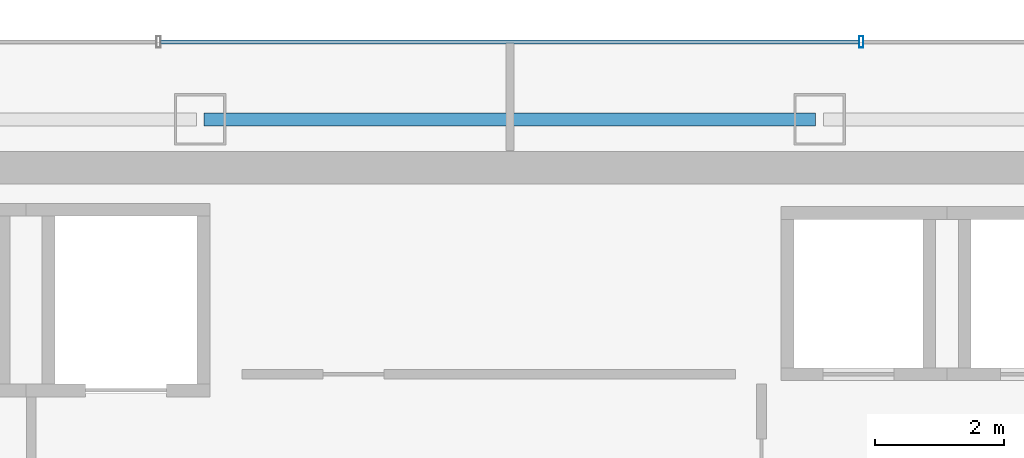
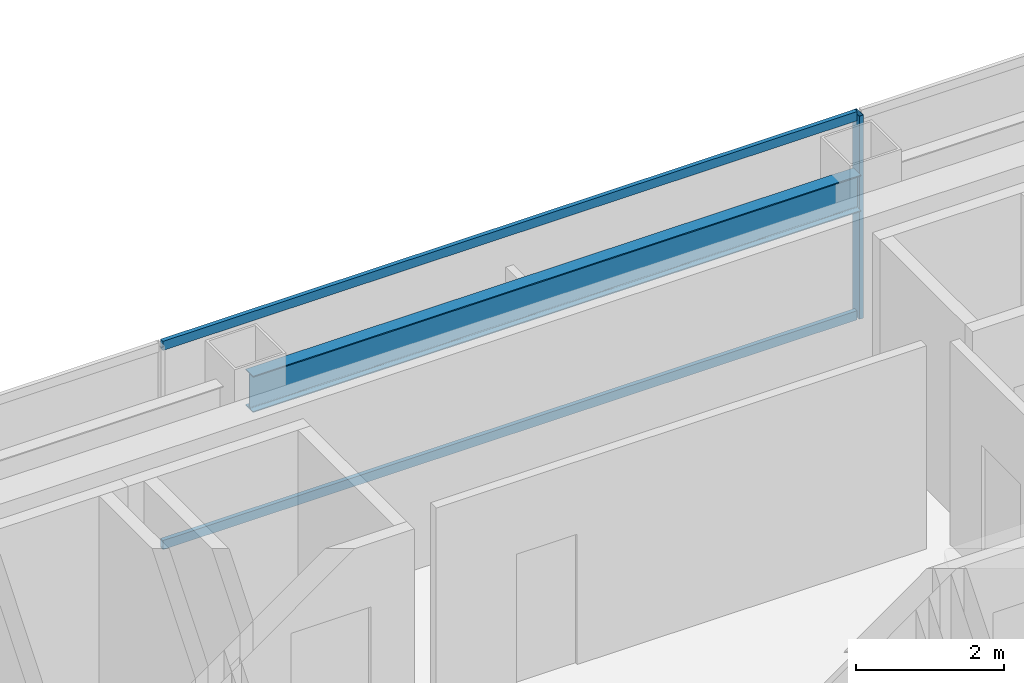
# One storey, part 23 of 34: 3 members, 1 beam, 1 element without a shape of its own.
"""IFC4 building model written with IfcOpenShell, lengths in metres."""

from ifc_helpers import new_model, si_unit, direction, frame, origin, origin_2d, place, context, subcontext, project, spatial, hollow_rectangle, i_section, extrude, material, material_profile, profile_set, type_object, element, aggregate, save


model = new_model("IFC4")

# Units and contexts
model_context = context("Model", 3, precision=1e-05, world=origin(), true_north=direction((0.0, 1.0)))
body_context = subcontext(model_context, "Body", "Model", "MODEL_VIEW")
ifc_project = project(units=[si_unit("LENGTHUNIT", "METRE"), si_unit("AREAUNIT", "SQUARE_METRE"), si_unit("VOLUMEUNIT", "CUBIC_METRE"), si_unit("PLANEANGLEUNIT", "RADIAN"), si_unit("MASSUNIT", "GRAM", prefix="KILO")], contexts=[model_context])

# Site, building, storey
site_placement = place(None, origin())
site = spatial("IfcSite", under=ifc_project, at=site_placement, CompositionType="ELEMENT")
building_placement = place(site_placement, origin())
building = spatial("IfcBuilding", under=site, at=building_placement, Name="Saevonmaru Cultural Tower", CompositionType="ELEMENT")
storey_placement = place(building_placement, frame((0.0, 0.0, 220.800048828125)))
storey = spatial("IfcBuildingStorey", under=building, at=storey_placement, Name="L51", CompositionType="ELEMENT", Elevation=220.800048828125)

# Beam
ifc_material_1 = material(Name="Steel SM355", Category="steel")
ifc_material_profile_1 = material_profile(ifc_material_1, i_section(OverallWidth=0.199951171875, OverallDepth=0.60009765625, WebThickness=0.010986328125, FlangeThickness=0.01708984375, FilletRadius=0.02197265625, at=origin_2d()), Name="H-600x200x11x17")
ifc_profile_set_1 = profile_set([ifc_material_profile_1], Name="Steel SM355")
beam_type = type_object("IfcBeamType", Name="BM-SP-H600", PredefinedType="SPANDREL", material=ifc_profile_set_1)
beam_placement = place(storey_placement, frame((25.260009765625, 54.800048828125, 3.050048828125), z_axis=(1.0, 0.0, 0.0), x_axis=(0.0, 1.0, 0.0)))
element("IfcBeam", 1, at=beam_placement, inside=storey, type_object=beam_type, Name="L51 North Spine Girder 3", PredefinedType="SPANDREL", context=body_context, shape_type="SweptSolid", body=[
    extrude(i_section(OverallWidth=0.199951171875, OverallDepth=0.60009765625, WebThickness=0.010986328125, FlangeThickness=0.01708984375, FilletRadius=0.02197265625, at=origin_2d()), origin(), (0.0, 0.0, 1.0), 9.47998046875),
])

# Curtain wall, members
ifc_material_2 = material(Name="Satin Bronze Anodised Aluminium", Category="aluminium")
curtain_wall_type = type_object("IfcCurtainWallType", Name="CW-TYP-B", PredefinedType="NOTDEFINED", material=ifc_material_2)
curtain_wall_placement = place(storey_placement, origin())
curtain_wall = element("IfcCurtainWall", 2, at=curtain_wall_placement, inside=storey, type_object=curtain_wall_type, Name="L51 North Spine Unitised Curtain Wall E10B", PredefinedType="NOTDEFINED")
ifc_material_profile_2 = material_profile(ifc_material_2, hollow_rectangle(XDim=0.06494140625, YDim=0.179931640625, WallThickness=0.00390625, at=origin_2d()), Name="ALU-MULL-180x65x4")
ifc_profile_set_2 = profile_set([ifc_material_profile_2], Name="Satin Bronze Anodised Aluminium")
member_type_1 = type_object("IfcMemberType", Name="ML-CW-180x65", PredefinedType="MULLION", material=ifc_profile_set_2)
member_1_placement = place(storey_placement, frame((35.44677734375, 56.0, 0.0), z_axis=(0.0, 0.0, 1.0), x_axis=(-1.0, 0.0, 0.0)))
member_1 = element("IfcMember", 3, at=member_1_placement, type_object=member_type_1, Name="CW-TW-L51-E10B mullion 2", PredefinedType="MULLION", context=body_context, shape_type="SweptSolid", body=[
    extrude(hollow_rectangle(XDim=0.06494140625, YDim=0.179931640625, WallThickness=0.00390625, at=origin_2d()), origin(), (0.0, 0.0, 1.0), 3.349853515625),
])
ifc_material_profile_3 = material_profile(ifc_material_2, hollow_rectangle(XDim=0.06494140625, YDim=0.14990234375, WallThickness=0.00390625, at=origin_2d()), Name="ALU-TRAN-150x65x4")
ifc_profile_set_3 = profile_set([ifc_material_profile_3], Name="Satin Bronze Anodised Aluminium")
member_type_2 = type_object("IfcMemberType", Name="TR-CW-150x65", PredefinedType="USERDEFINED", material=ifc_profile_set_3)
member_2_placement = place(storey_placement, frame((35.4140625, 56.0, 0.032470703125), z_axis=(-1.0, 0.0, 0.0), x_axis=(0.0, -1.0, 0.0)))
member_2 = element("IfcMember", 4, at=member_2_placement, type_object=member_type_2, Name="CW-TW-L51-E10B transom 2.1", ObjectType="TRANSOM", PredefinedType="USERDEFINED", context=body_context, shape_type="SweptSolid", body=[
    extrude(hollow_rectangle(XDim=0.06494140625, YDim=0.14990234375, WallThickness=0.00390625, at=origin_2d()), origin(), (0.0, 0.0, 1.0), 10.828125),
])
member_3_placement = place(storey_placement, frame((35.4140625, 56.0, 3.3173828125), z_axis=(-1.0, 0.0, 0.0), x_axis=(0.0, -1.0, 0.0)))
member_3 = element("IfcMember", 5, at=member_3_placement, type_object=member_type_2, Name="CW-TW-L51-E10B transom 2.2", ObjectType="TRANSOM", PredefinedType="USERDEFINED", context=body_context, shape_type="SweptSolid", body=[
    extrude(hollow_rectangle(XDim=0.06494140625, YDim=0.14990234375, WallThickness=0.00390625, at=origin_2d()), origin(), (0.0, 0.0, 1.0), 10.828125),
])
aggregate(curtain_wall, [member_1, member_2, member_3])

save(model, "model.ifc")
